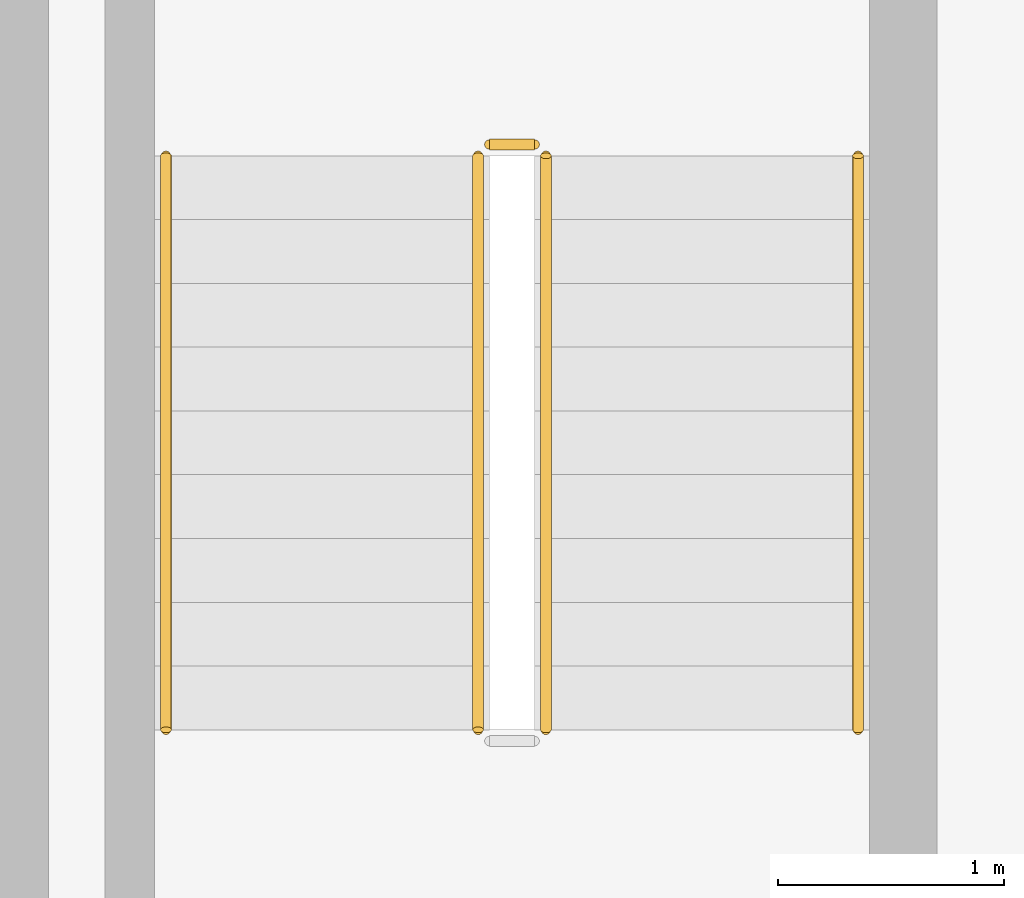
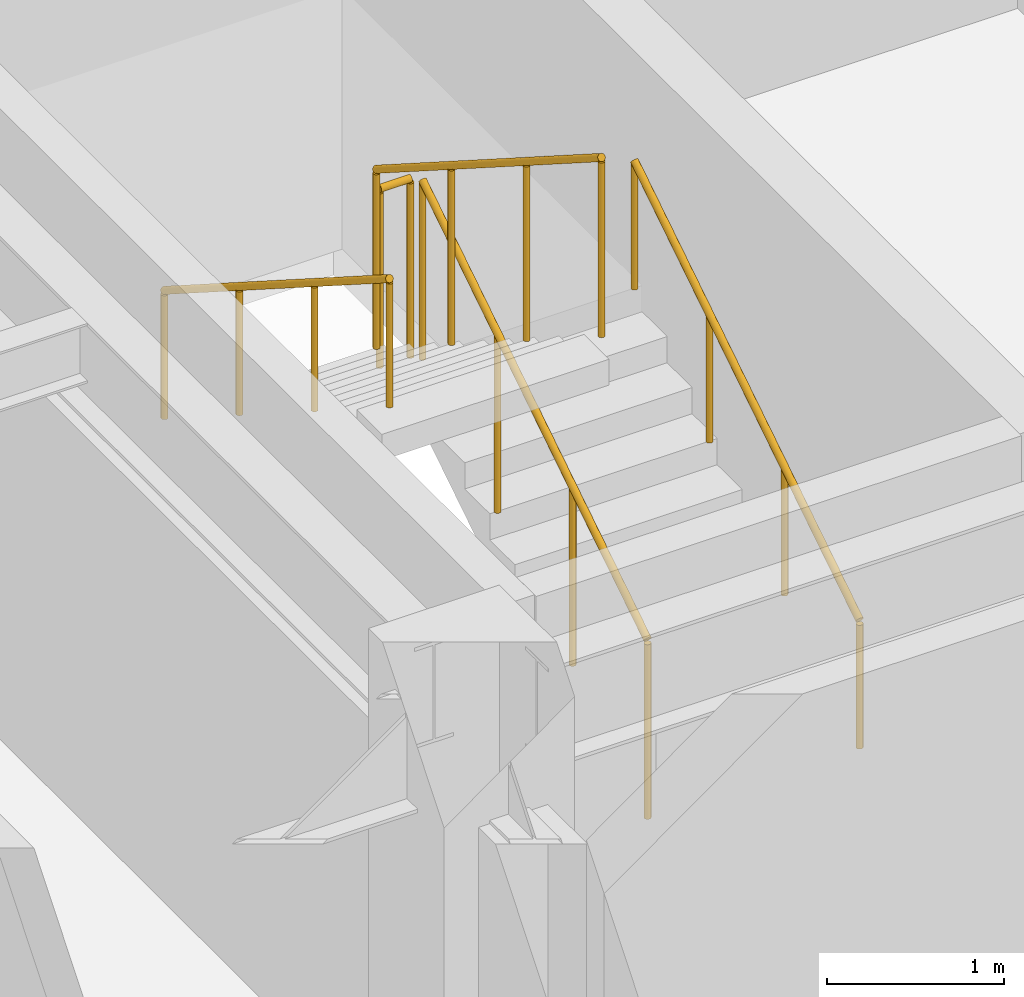
# One storey, part 15 of 15: 5 railings.
"""IFC4 building model written with IfcOpenShell, lengths in metres."""

from ifc_helpers import new_model, si_unit, direction, frame, origin, origin_2d, place, context, subcontext, project, spatial, circle, extrude, material, type_object, element, save


model = new_model("IFC4")

# Units and contexts
model_context = context("Model", 3, precision=1e-05, world=origin(), true_north=direction((0.0, 1.0)))
body_context = subcontext(model_context, "Body", "Model", "MODEL_VIEW")
ifc_project = project(units=[si_unit("LENGTHUNIT", "METRE"), si_unit("AREAUNIT", "SQUARE_METRE"), si_unit("VOLUMEUNIT", "CUBIC_METRE"), si_unit("PLANEANGLEUNIT", "RADIAN"), si_unit("MASSUNIT", "GRAM", prefix="KILO")], contexts=[model_context])

# Site, building, storey
site_placement = place(None, origin())
site = spatial("IfcSite", under=ifc_project, at=site_placement, CompositionType="ELEMENT")
building_placement = place(site_placement, origin())
building = spatial("IfcBuilding", under=site, at=building_placement, Name="Ochreholt Gables", CompositionType="ELEMENT")
storey_placement = place(building_placement, frame((0.0, 0.0, 64.199951171875)))
storey = spatial("IfcBuildingStorey", under=building, at=storey_placement, Name="L16", CompositionType="ELEMENT", Elevation=64.199951171875)

# Railings
ifc_material_1 = material(Name="Painted Steel Stair Guardrail", Category="steel")
railing_type_1 = type_object("IfcRailingType", Name="RL-ST-GUARD", PredefinedType="GUARDRAIL", material=ifc_material_1)
railing_1_placement = place(storey_placement, frame((26.64990234375, 32.4599609375, 0.179931640625)))
element("IfcRailing", 1, at=railing_1_placement, inside=storey, type_object=railing_type_1, Name="L16 ST-2 stair guard 1", PredefinedType="GUARDRAIL", context=body_context, shape_type="SweptSolid", body=[
    extrude(circle(Radius=0.02392578125, at=origin_2d()), frame((0.0, 0.0, 1.22607421875), z_axis=(0.0, 0.842912820907, 0.538050161556), x_axis=(-1.0, 0.0, 0.0)), (0.0, 0.0, 1.0), 3.010986328125),
    extrude(circle(Radius=0.02099609375, at=origin_2d()), origin(), (0.0, 0.0, 1.0), 1.201904296875),
    extrude(circle(Radius=0.02099609375, at=origin_2d()), frame((0.0, 0.845947265625, 0.5400390625)), (0.0, 0.0, 1.0), 1.201904296875),
    extrude(circle(Radius=0.02099609375, at=origin_2d()), frame((0.0, 1.692138671875, 1.080078125)), (0.0, 0.0, 1.0), 1.201904296875),
    extrude(circle(Radius=0.02099609375, at=origin_2d()), frame((0.0, 2.5380859375, 1.6201171875)), (0.0, 0.0, 1.0), 1.201904296875),
])
railing_2_placement = place(storey_placement, frame((26.60009765625, 35.048095703125, 1.800048828125)))
element("IfcRailing", 2, at=railing_2_placement, inside=storey, type_object=railing_type_1, Name="L16 ST-2 stair guard 2", PredefinedType="GUARDRAIL", context=body_context, shape_type="SweptSolid", body=[
    extrude(circle(Radius=0.02392578125, at=origin_2d()), frame((0.0, 0.0, 1.22607421875), z_axis=(-1.0, 0.0, 0.0), x_axis=(0.0, -1.0, 0.0)), (0.0, 0.0, 1.0), 0.2001953125),
    extrude(circle(Radius=0.02099609375, at=origin_2d()), origin(), (0.0, 0.0, 1.0), 1.201904296875),
    extrude(circle(Radius=0.02099609375, at=origin_2d()), frame((-0.2001953125, 0.0, 0.0)), (0.0, 0.0, 1.0), 1.201904296875),
])
railing_3_placement = place(storey_placement, frame((26.35009765625, 34.998046875, 1.97998046875)))
element("IfcRailing", 3, at=railing_3_placement, inside=storey, type_object=railing_type_1, Name="L16 ST-2 stair guard 3", PredefinedType="GUARDRAIL", context=body_context, shape_type="SweptSolid", body=[
    extrude(circle(Radius=0.02392578125, at=origin_2d()), frame((0.0, 0.0, 1.22607421875), z_axis=(0.0, -0.842912820907, 0.538050161556), x_axis=(1.0, 0.0, 0.0)), (0.0, 0.0, 1.0), 3.010986328125),
    extrude(circle(Radius=0.02099609375, at=origin_2d()), origin(), (0.0, 0.0, 1.0), 1.201904296875),
    extrude(circle(Radius=0.02099609375, at=origin_2d()), frame((0.0, -0.845947265625, 0.5400390625)), (0.0, 0.0, 1.0), 1.201904296875),
    extrude(circle(Radius=0.02099609375, at=origin_2d()), frame((0.0, -1.692138671875, 1.080078125)), (0.0, 0.0, 1.0), 1.201904296875),
    extrude(circle(Radius=0.02099609375, at=origin_2d()), frame((0.0, -2.5380859375, 1.6201171875)), (0.0, 0.0, 1.0), 1.201904296875),
])
ifc_material_2 = material(Name="Brushed Stainless Steel Wall Handrail", Category="steel")
railing_type_2 = type_object("IfcRailingType", Name="RL-ST-HAND", PredefinedType="HANDRAIL", material=ifc_material_2)
railing_4_placement = place(storey_placement, frame((28.030029296875, 32.4599609375, 0.179931640625)))
element("IfcRailing", 4, at=railing_4_placement, inside=storey, type_object=railing_type_2, Name="L16 ST-2 stair handrail 1", PredefinedType="HANDRAIL", context=body_context, shape_type="SweptSolid", body=[
    extrude(circle(Radius=0.02392578125, at=origin_2d()), frame((0.0, 0.0, 0.8759765625), z_axis=(0.0, 0.842912820907, 0.538050161556), x_axis=(-1.0, 0.0, 0.0)), (0.0, 0.0, 1.0), 3.010986328125),
    extrude(circle(Radius=0.02099609375, at=origin_2d()), origin(), (0.0, 0.0, 1.0), 0.851806640625),
    extrude(circle(Radius=0.02099609375, at=origin_2d()), frame((0.0, 0.845947265625, 0.5400390625)), (0.0, 0.0, 1.0), 0.851806640625),
    extrude(circle(Radius=0.02099609375, at=origin_2d()), frame((0.0, 1.692138671875, 1.080078125)), (0.0, 0.0, 1.0), 0.851806640625),
    extrude(circle(Radius=0.02099609375, at=origin_2d()), frame((0.0, 2.5380859375, 1.6201171875)), (0.0, 0.0, 1.0), 0.851806640625),
])
railing_5_placement = place(storey_placement, frame((24.969970703125, 34.998046875, 1.97998046875)))
element("IfcRailing", 5, at=railing_5_placement, inside=storey, type_object=railing_type_2, Name="L16 ST-2 stair handrail 2", PredefinedType="HANDRAIL", context=body_context, shape_type="SweptSolid", body=[
    extrude(circle(Radius=0.02392578125, at=origin_2d()), frame((0.0, 0.0, 0.8759765625), z_axis=(0.0, -0.842912820907, 0.538050161556), x_axis=(1.0, 0.0, 0.0)), (0.0, 0.0, 1.0), 3.010986328125),
    extrude(circle(Radius=0.02099609375, at=origin_2d()), origin(), (0.0, 0.0, 1.0), 0.851806640625),
    extrude(circle(Radius=0.02099609375, at=origin_2d()), frame((0.0, -0.845947265625, 0.5400390625)), (0.0, 0.0, 1.0), 0.851806640625),
    extrude(circle(Radius=0.02099609375, at=origin_2d()), frame((0.0, -1.692138671875, 1.080078125)), (0.0, 0.0, 1.0), 0.851806640625),
    extrude(circle(Radius=0.02099609375, at=origin_2d()), frame((0.0, -2.5380859375, 1.6201171875)), (0.0, 0.0, 1.0), 0.851806640625),
])

save(model, "model.ifc")
